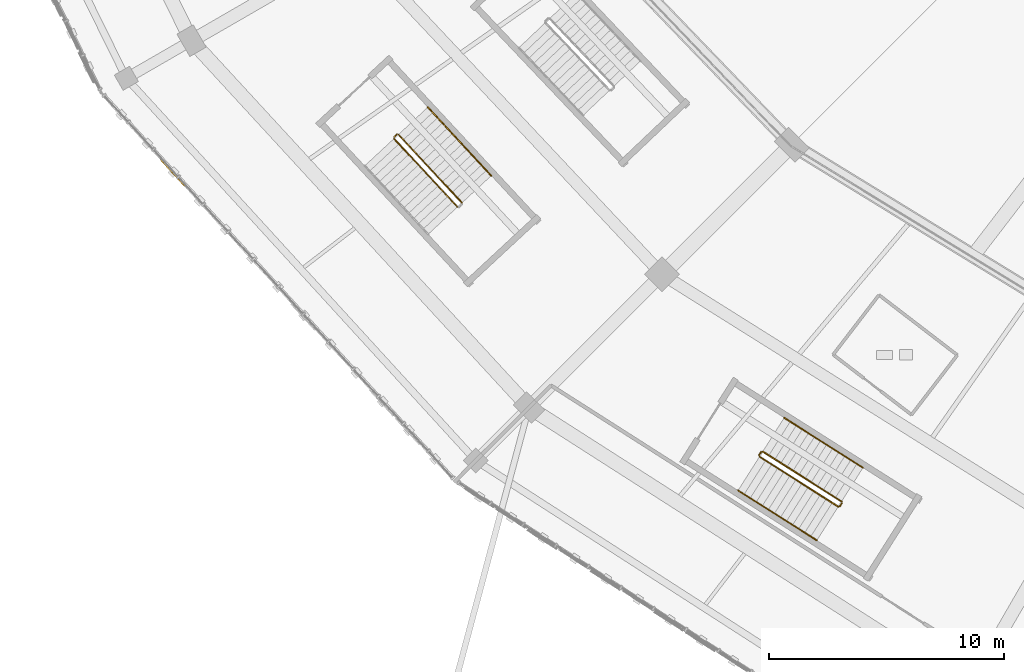
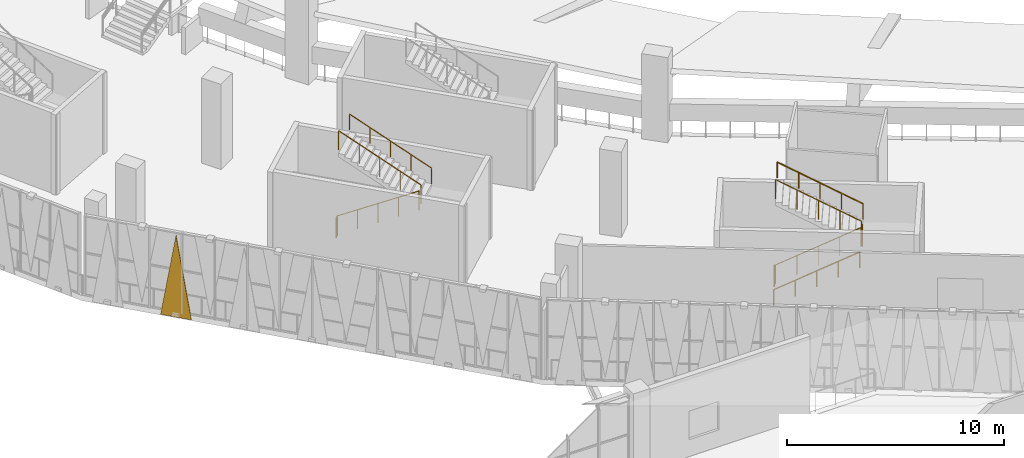
# One storey, part 130 of 183: 10 railings, 1 covering.
"""IFC4 building model written with IfcOpenShell, lengths in metres."""

from ifc_helpers import new_model, si_unit, direction, frame, origin, origin_2d, place, context, subcontext, project, spatial, polyline, circle, outline, extrude, material, layer, layer_set, type_object, element, save


model = new_model("IFC4")

# Units and contexts
model_context = context("Model", 3, precision=1e-05, world=origin(), true_north=direction((0.0, 1.0)))
body_context = subcontext(model_context, "Body", "Model", "MODEL_VIEW")
ifc_project = project(units=[si_unit("LENGTHUNIT", "METRE"), si_unit("AREAUNIT", "SQUARE_METRE"), si_unit("VOLUMEUNIT", "CUBIC_METRE"), si_unit("PLANEANGLEUNIT", "RADIAN"), si_unit("MASSUNIT", "GRAM", prefix="KILO")], contexts=[model_context])

# Site, building, storey
site_placement = place(None, origin())
site = spatial("IfcSite", under=ifc_project, at=site_placement, CompositionType="ELEMENT")
building_placement = place(site_placement, origin())
building = spatial("IfcBuilding", under=site, at=building_placement, Name="Zevraka Park Crest Stadium", CompositionType="ELEMENT")
storey_placement = place(building_placement, frame((0.0, 0.0, 5.39990234375)))
storey = spatial("IfcBuildingStorey", under=building, at=storey_placement, Name="L01", CompositionType="ELEMENT", Elevation=5.39990234375)

# Covering
ifc_material_1 = material(Name="Architectural golden-bronze perforated aluminium", Category="aluminium")
ifc_layer = layer(ifc_material_1, 0.034912109375)
ifc_layer_set = layer_set([ifc_layer], Name="Architectural golden-bronze perforated aluminium")
covering_type = type_object("IfcCoveringType", Name="CLD01", PredefinedType="CLADDING", material=ifc_layer_set)
covering_placement = place(storey_placement, frame((32.48193359375, 49.26806640625, -0.260009765625), z_axis=(-0.738850371143, -0.673869512184, 9.8032371e-05), x_axis=(0.673869515422, -0.738850374694, 0.0)))
element("IfcCovering", 1, at=covering_placement, inside=storey, type_object=covering_type, Name="Triangular Golden-Bronze Perforated Cladding L01-14-3", PredefinedType="CLADDING", context=body_context, shape_type="SweptSolid", body=[
    extrude(outline(polyline([(0.0, 0.0), (1.4915750454979064, -1.3552527156068805e-20), (0.746198820060612, 4.600097678354265), (0.0, 0.0)])), origin(), (0.0, 0.0, -1.0), 0.034912109375),
])

# Railings
ifc_material_2 = material(Name="Powder-coated tubular steel stairwell guard", Category="steel")
railing_type_1 = type_object("IfcRailingType", Name="GR03", PredefinedType="GUARDRAIL", material=ifc_material_2)
railing_1_placement = place(storey_placement, frame((42.410400390625, 50.18212890625, 0.171630859375)))
element("IfcRailing", 2, at=railing_1_placement, inside=storey, type_object=railing_type_1, Name="L01 ST15 stair guard 1", PredefinedType="GUARDRAIL", context=body_context, shape_type="SweptSolid", body=[
    extrude(circle(Radius=0.02392578125, at=origin_2d()), frame((0.0, 0.0, 1.076171875), z_axis=(0.593016024023, -0.638962957094, 0.489957482557), x_axis=(0.732968909084, 0.680262139412, 0.0)), (0.0, 0.0, 1.0), 4.54833984375),
    extrude(circle(Radius=0.02099609375, at=origin_2d()), origin(), (0.0, 0.0, 1.0), 1.052001953125),
    extrude(circle(Radius=0.02099609375, at=origin_2d()), frame((0.67431640625, -0.7265625, 0.55712890625)), (0.0, 0.0, 1.0), 1.052001953125),
    extrude(circle(Radius=0.02099609375, at=origin_2d()), frame((1.3486328125, -1.453125, 1.1142578125)), (0.0, 0.0, 1.0), 1.052001953125),
    extrude(circle(Radius=0.02099609375, at=origin_2d()), frame((2.02294921875, -2.1796875, 1.67138671875)), (0.0, 0.0, 1.0), 1.052001953125),
    extrude(circle(Radius=0.02099609375, at=origin_2d()), frame((2.697265625, -2.90625, 2.228515625)), (0.0, 0.0, 1.0), 1.052001953125),
])
railing_2_placement = place(storey_placement, frame((45.298095703125, 47.45263671875, 2.571533203125)))
element("IfcRailing", 3, at=railing_2_placement, inside=storey, type_object=railing_type_1, Name="L01 ST15 stair guard 3", PredefinedType="GUARDRAIL", context=body_context, shape_type="SweptSolid", body=[
    extrude(circle(Radius=0.02392578125, at=origin_2d()), frame((0.0, 0.0, 1.076171875), z_axis=(-0.593016024023, 0.638962957094, 0.489957482557), x_axis=(-0.732968909084, -0.680262139412, 0.0)), (0.0, 0.0, 1.0), 4.54833984375),
    extrude(circle(Radius=0.02099609375, at=origin_2d()), origin(), (0.0, 0.0, 1.0), 1.052001953125),
    extrude(circle(Radius=0.02099609375, at=origin_2d()), frame((-0.67431640625, 0.7265625, 0.55712890625)), (0.0, 0.0, 1.0), 1.052001953125),
    extrude(circle(Radius=0.02099609375, at=origin_2d()), frame((-1.3486328125, 1.453125, 1.1142578125)), (0.0, 0.0, 1.0), 1.052001953125),
    extrude(circle(Radius=0.02099609375, at=origin_2d()), frame((-2.02294921875, 2.1796875, 1.67138671875)), (0.0, 0.0, 1.0), 1.052001953125),
    extrude(circle(Radius=0.02099609375, at=origin_2d()), frame((-2.697265625, 2.90625, 2.228515625)), (0.0, 0.0, 1.0), 1.052001953125),
])
railing_3_placement = place(storey_placement, frame((42.4130859375, 50.252685546875, 0.0)))
element("IfcRailing", 4, at=railing_3_placement, inside=storey, type_object=railing_type_1, Name="L01 ST15 stair guard 4", PredefinedType="GUARDRAIL", context=body_context, shape_type="SweptSolid", body=[
    extrude(circle(Radius=0.02392578125, at=origin_2d()), frame((0.0, 0.0, 1.076171875), z_axis=(0.732576022975, 0.680685221348, 0.0), x_axis=(-0.680685221348, 0.732576022975, 0.0)), (0.0, 0.0, 1.0), 0.159912109375),
    extrude(circle(Radius=0.02099609375, at=origin_2d()), origin(), (0.0, 0.0, 1.0), 1.052001953125),
    extrude(circle(Radius=0.02099609375, at=origin_2d()), frame((0.1171875, 0.10888671875, 0.0)), (0.0, 0.0, 1.0), 1.052001953125),
])
railing_4_placement = place(storey_placement, frame((57.952392578125, 36.657470703125, 0.171630859375)))
element("IfcRailing", 5, at=railing_4_placement, inside=storey, type_object=railing_type_1, Name="L01 ST16 stair guard 1", PredefinedType="GUARDRAIL", context=body_context, shape_type="SweptSolid", body=[
    extrude(circle(Radius=0.02392578125, at=origin_2d()), frame((0.0, 0.0, 1.076171875), z_axis=(0.736098358432, -0.467025799673, 0.489945006254), x_axis=(0.53573158449, 0.844388340386, 0.0)), (0.0, 0.0, 1.0), 4.548583984375),
    extrude(circle(Radius=0.02099609375, at=origin_2d()), origin(), (0.0, 0.0, 1.0), 1.052001953125),
    extrude(circle(Radius=0.02099609375, at=origin_2d()), frame((0.8369140625, -0.531005859375, 0.55712890625)), (0.0, 0.0, 1.0), 1.052001953125),
    extrude(circle(Radius=0.02099609375, at=origin_2d()), frame((1.674072265625, -1.06201171875, 1.1142578125)), (0.0, 0.0, 1.0), 1.052001953125),
    extrude(circle(Radius=0.02099609375, at=origin_2d()), frame((2.51123046875, -1.59326171875, 1.67138671875)), (0.0, 0.0, 1.0), 1.052001953125),
    extrude(circle(Radius=0.02099609375, at=origin_2d()), frame((3.34814453125, -2.124267578125, 2.228515625)), (0.0, 0.0, 1.0), 1.052001953125),
])
railing_5_placement = place(storey_placement, frame((61.36962890625, 34.548828125, 2.400146484375)))
element("IfcRailing", 6, at=railing_5_placement, inside=storey, type_object=railing_type_1, Name="L01 ST16 stair guard 2", PredefinedType="GUARDRAIL", context=body_context, shape_type="SweptSolid", body=[
    extrude(circle(Radius=0.02392578125, at=origin_2d()), frame((0.0, 0.0, 1.076171875), z_axis=(0.535887230789, 0.844289568736, 0.0), x_axis=(-0.844289568736, 0.535887230789, 0.0)), (0.0, 0.0, 1.0), 0.159912109375),
    extrude(circle(Radius=0.02099609375, at=origin_2d()), origin(), (0.0, 0.0, 1.0), 1.052001953125),
    extrude(circle(Radius=0.02099609375, at=origin_2d()), frame((0.085693359375, 0.135009765625, 0.0)), (0.0, 0.0, 1.0), 1.052001953125),
])
railing_6_placement = place(storey_placement, frame((61.43994140625, 34.7529296875, 2.571533203125)))
element("IfcRailing", 7, at=railing_6_placement, inside=storey, type_object=railing_type_1, Name="L01 ST16 stair guard 3", PredefinedType="GUARDRAIL", context=body_context, shape_type="SweptSolid", body=[
    extrude(circle(Radius=0.02392578125, at=origin_2d()), frame((0.0, 0.0, 1.076171875), z_axis=(-0.736116810277, 0.466983830349, 0.48995728775), x_axis=(-0.535687682518, -0.84441619288, 0.0)), (0.0, 0.0, 1.0), 4.54833984375),
    extrude(circle(Radius=0.02099609375, at=origin_2d()), origin(), (0.0, 0.0, 1.0), 1.052001953125),
    extrude(circle(Radius=0.02099609375, at=origin_2d()), frame((-0.8369140625, 0.531005859375, 0.55712890625)), (0.0, 0.0, 1.0), 1.052001953125),
    extrude(circle(Radius=0.02099609375, at=origin_2d()), frame((-1.674072265625, 1.06201171875, 1.1142578125)), (0.0, 0.0, 1.0), 1.052001953125),
    extrude(circle(Radius=0.02099609375, at=origin_2d()), frame((-2.51123046875, 1.593017578125, 1.67138671875)), (0.0, 0.0, 1.0), 1.052001953125),
    extrude(circle(Radius=0.02099609375, at=origin_2d()), frame((-3.34814453125, 2.1240234375, 2.228515625)), (0.0, 0.0, 1.0), 1.052001953125),
])
railing_7_placement = place(storey_placement, frame((57.93701171875, 36.726318359375, 0.0)))
element("IfcRailing", 8, at=railing_7_placement, inside=storey, type_object=railing_type_1, Name="L01 ST16 stair guard 4", PredefinedType="GUARDRAIL", context=body_context, shape_type="SweptSolid", body=[
    extrude(circle(Radius=0.02392578125, at=origin_2d()), frame((0.0, 0.0, 1.076171875), z_axis=(0.535197175111, 0.844727165275, 0.0), x_axis=(-0.844727165275, 0.535197175111, 0.0)), (0.0, 0.0, 1.0), 0.16015625),
    extrude(circle(Radius=0.02099609375, at=origin_2d()), origin(), (0.0, 0.0, 1.0), 1.052001953125),
    extrude(circle(Radius=0.02099609375, at=origin_2d()), frame((0.085693359375, 0.13525390625, 0.0)), (0.0, 0.0, 1.0), 1.052001953125),
])
ifc_material_3 = material(Name="Brushed stainless steel continuous handrail", Category="steel")
railing_type_2 = type_object("IfcRailingType", Name="HR01", PredefinedType="HANDRAIL", material=ifc_material_3)
railing_8_placement = place(storey_placement, frame((46.544189453125, 48.609130859375, 2.571533203125)))
element("IfcRailing", 9, at=railing_8_placement, inside=storey, type_object=railing_type_2, Name="L01 ST15 stair handrail 2", PredefinedType="HANDRAIL", context=body_context, shape_type="SweptSolid", body=[
    extrude(circle(Radius=0.02392578125, at=origin_2d()), frame((0.0, 0.0, 0.8759765625), z_axis=(-0.593016024023, 0.638962957094, 0.489957482557), x_axis=(-0.732968909084, -0.680262139412, 0.0)), (0.0, 0.0, 1.0), 4.54833984375),
    extrude(circle(Radius=0.02099609375, at=origin_2d()), origin(), (0.0, 0.0, 1.0), 0.851806640625),
    extrude(circle(Radius=0.02099609375, at=origin_2d()), frame((-0.67431640625, 0.7265625, 0.55712890625)), (0.0, 0.0, 1.0), 0.851806640625),
    extrude(circle(Radius=0.02099609375, at=origin_2d()), frame((-1.3486328125, 1.453125, 1.1142578125)), (0.0, 0.0, 1.0), 0.851806640625),
    extrude(circle(Radius=0.02099609375, at=origin_2d()), frame((-2.02294921875, 2.1796875, 1.67138671875)), (0.0, 0.0, 1.0), 0.851806640625),
    extrude(circle(Radius=0.02099609375, at=origin_2d()), frame((-2.697265625, 2.90625, 2.228515625)), (0.0, 0.0, 1.0), 0.851806640625),
])
railing_9_placement = place(storey_placement, frame((57.041748046875, 35.221923828125, 0.171630859375)))
element("IfcRailing", 10, at=railing_9_placement, inside=storey, type_object=railing_type_2, Name="L01 ST16 stair handrail 1", PredefinedType="HANDRAIL", context=body_context, shape_type="SweptSolid", body=[
    extrude(circle(Radius=0.02392578125, at=origin_2d()), frame((0.0, 0.0, 0.8759765625), z_axis=(0.736116810277, -0.466983830349, 0.48995728775), x_axis=(0.535687682518, 0.84441619288, 0.0)), (0.0, 0.0, 1.0), 4.54833984375),
    extrude(circle(Radius=0.02099609375, at=origin_2d()), origin(), (0.0, 0.0, 1.0), 0.851806640625),
    extrude(circle(Radius=0.02099609375, at=origin_2d()), frame((0.8369140625, -0.531005859375, 0.55712890625)), (0.0, 0.0, 1.0), 0.851806640625),
    extrude(circle(Radius=0.02099609375, at=origin_2d()), frame((1.674072265625, -1.06201171875, 1.1142578125)), (0.0, 0.0, 1.0), 0.851806640625),
    extrude(circle(Radius=0.02099609375, at=origin_2d()), frame((2.51123046875, -1.593017578125, 1.67138671875)), (0.0, 0.0, 1.0), 0.851806640625),
    extrude(circle(Radius=0.02099609375, at=origin_2d()), frame((3.34814453125, -2.1240234375, 2.228515625)), (0.0, 0.0, 1.0), 0.851806640625),
])
railing_10_placement = place(storey_placement, frame((62.3505859375, 36.188232421875, 2.571533203125)))
element("IfcRailing", 11, at=railing_10_placement, inside=storey, type_object=railing_type_2, Name="L01 ST16 stair handrail 2", PredefinedType="HANDRAIL", context=body_context, shape_type="SweptSolid", body=[
    extrude(circle(Radius=0.02392578125, at=origin_2d()), frame((0.0, 0.0, 0.8759765625), z_axis=(-0.736098358432, 0.467025799673, 0.489945006254), x_axis=(-0.53573158449, -0.844388340386, 0.0)), (0.0, 0.0, 1.0), 4.548583984375),
    extrude(circle(Radius=0.02099609375, at=origin_2d()), origin(), (0.0, 0.0, 1.0), 0.851806640625),
    extrude(circle(Radius=0.02099609375, at=origin_2d()), frame((-0.8369140625, 0.531005859375, 0.55712890625)), (0.0, 0.0, 1.0), 0.851806640625),
    extrude(circle(Radius=0.02099609375, at=origin_2d()), frame((-1.674072265625, 1.06201171875, 1.1142578125)), (0.0, 0.0, 1.0), 0.851806640625),
    extrude(circle(Radius=0.02099609375, at=origin_2d()), frame((-2.51123046875, 1.59326171875, 1.67138671875)), (0.0, 0.0, 1.0), 0.851806640625),
    extrude(circle(Radius=0.02099609375, at=origin_2d()), frame((-3.34814453125, 2.124267578125, 2.228515625)), (0.0, 0.0, 1.0), 0.851806640625),
])

save(model, "model.ifc")
